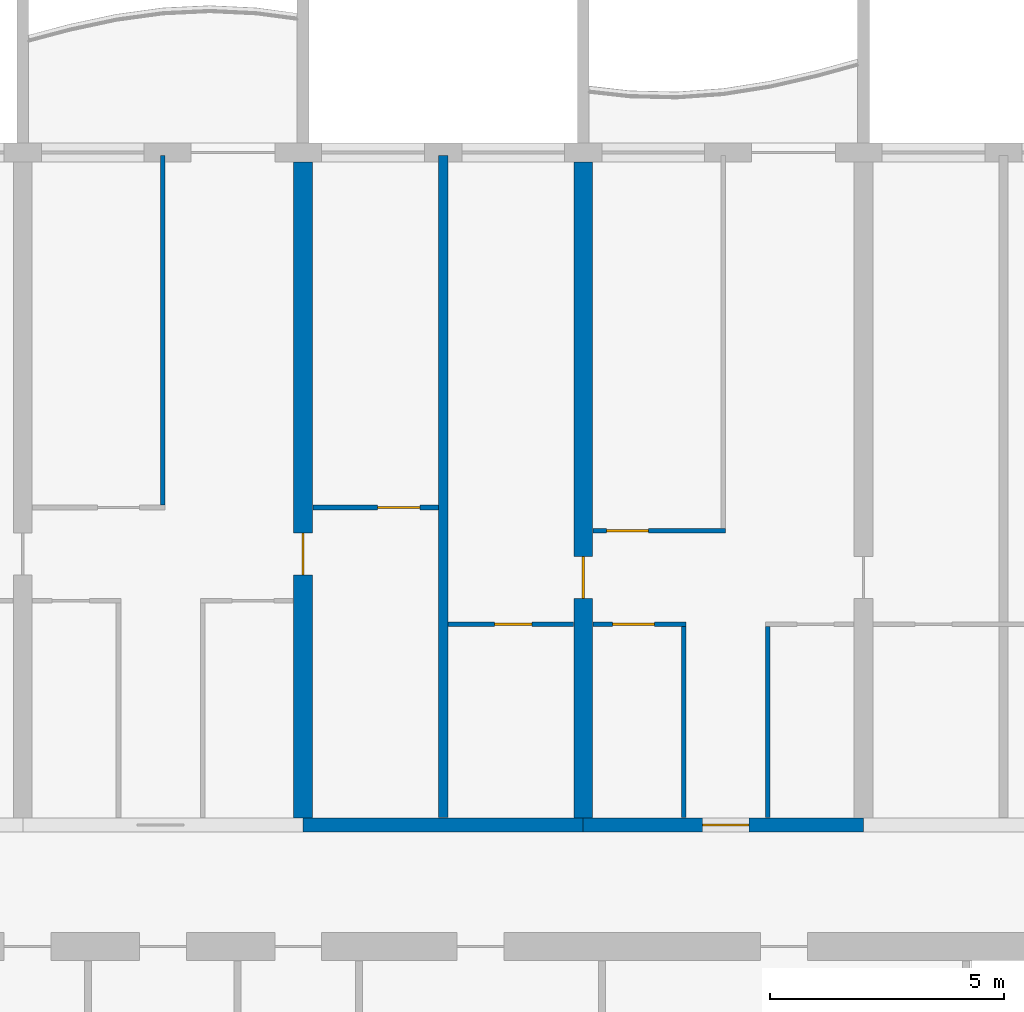
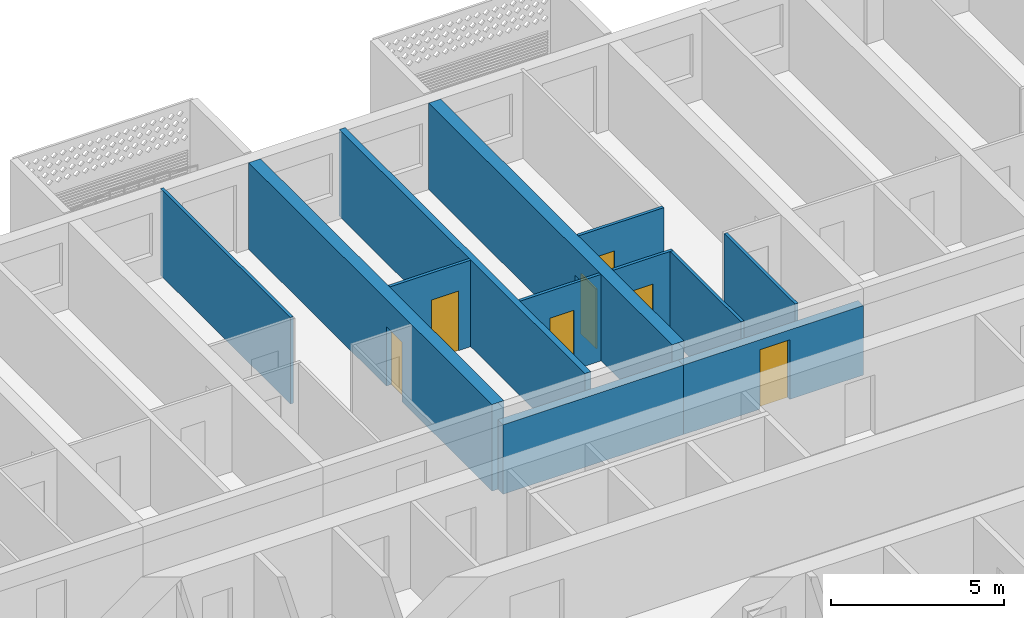
# One storey, part 12 of 40: 12 walls, 7 doors, 7 openings.
"""IFC4 building model written with IfcOpenShell, lengths in metres."""

from ifc_helpers import new_model, si_unit, direction, frame, frame_2d, origin, place, context, subcontext, project, spatial, rectangle, extrude, material, layer, layer_set, type_object, element, fill, save


model = new_model("IFC4")

# Units and contexts
model_context = context("Model", 3, precision=1e-05, world=origin(), true_north=direction((0.0, 1.0)))
body_context = subcontext(model_context, "Body", "Model", "MODEL_VIEW")
ifc_project = project(units=[si_unit("LENGTHUNIT", "METRE"), si_unit("AREAUNIT", "SQUARE_METRE"), si_unit("VOLUMEUNIT", "CUBIC_METRE"), si_unit("PLANEANGLEUNIT", "RADIAN"), si_unit("MASSUNIT", "GRAM", prefix="KILO")], contexts=[model_context])

# Site, building, storey
site_placement = place(None, origin())
site = spatial("IfcSite", under=ifc_project, at=site_placement, CompositionType="ELEMENT")
building_placement = place(site_placement, origin())
building = spatial("IfcBuilding", under=site, at=building_placement, Name="Poui Terraces", CompositionType="ELEMENT")
storey_placement = place(building_placement, frame((0.0, 0.0, 33.300048828125)))
storey = spatial("IfcBuildingStorey", under=building, at=storey_placement, Name="L08", CompositionType="ELEMENT", Elevation=33.300048828125)

# Wall
ifc_material_1 = material(Name="Concrete 80 MPa", Category="concrete")
ifc_layer_1 = layer(ifc_material_1, 0.300048828125)
ifc_layer_set_1 = layer_set([ifc_layer_1], Name="Concrete 80 MPa")
wall_type_1 = type_object("IfcWallType", Name="CORRIDOR WALL 300 80MPa", PredefinedType="SHEAR", material=ifc_layer_set_1)
wall_1_placement = place(storey_placement, frame((54.0, 30.39990234375, 0.0), z_axis=(0.0, 0.0, 1.0), x_axis=(1.0, 0.0, 0.0)))
element("IfcWall", 1, at=wall_1_placement, inside=storey, type_object=wall_type_1, Name="CORRIDOR WALL LINE E BAY 10", PredefinedType="SHEAR", context=body_context, shape_type="SweptSolid", body=[
    extrude(rectangle(XDim=6.0, YDim=0.300048828125, at=frame_2d((3.0, 0.0))), origin(), (0.0, 0.0, 1.0), 2.449951171875),
])

# Wall, opening, door
wall_2_placement = place(storey_placement, frame((60.0, 30.39990234375, 0.0), z_axis=(0.0, 0.0, 1.0), x_axis=(1.0, 0.0, 0.0)))
wall_2 = element("IfcWall", 2, at=wall_2_placement, inside=storey, type_object=wall_type_1, Name="CORRIDOR WALL LINE E BAY 11", PredefinedType="SHEAR", context=body_context, shape_type="SweptSolid", body=[
    extrude(rectangle(XDim=6.0, YDim=0.300048828125, at=frame_2d((3.0, 0.0))), origin(), (0.0, 0.0, 1.0), 2.449951171875),
])
opening_1_placement = place(wall_2_placement, frame((2.550048828125, 0.0, 0.0)))
opening_1 = element("IfcOpeningElement", 3, at=opening_1_placement, cuts=wall_2, Name="Opening FD30S", PredefinedType="OPENING", context=body_context, shape_type="SweptSolid", body=[
    extrude(rectangle(XDim=1.0, YDim=2.10009765625, at=frame_2d((0.5, 1.050048828125))), frame((0.0, 0.16015625, 0.0), z_axis=(0.0, -1.0, 0.0), x_axis=(1.0, 0.0, 0.0)), (0.0, 0.0, 1.0), 0.320068359375),
])
ifc_material_2 = material(Name="Steel fire door", Category="steel")
door_type_1 = type_object("IfcDoorType", Name="FLAT ENTRANCE DOOR 1000 X 2100", OperationType="NOTDEFINED", PredefinedType="DOOR", material=ifc_material_2)
door_1_placement = place(opening_1_placement, origin())
door_1 = element("IfcDoor", 4, at=door_1_placement, inside=storey, type_object=door_type_1, Name="FLAT ENTRANCE DOOR 068", OperationType="SINGLE_SWING_RIGHT", OverallHeight=2.10009765625, OverallWidth=1.0, PredefinedType="DOOR", context=body_context, shape_type="SweptSolid", body=[
    extrude(rectangle(XDim=1.0, YDim=2.10009765625, at=frame_2d((0.5, 1.050048828125))), frame((0.0, 0.02490234375, 0.0), z_axis=(0.0, -1.0, 0.0), x_axis=(1.0, 0.0, 0.0)), (0.0, 0.0, 1.0), 0.050048828125),
])
fill(opening_1, door_1)

ifc_layer_2 = layer(ifc_material_1, 0.39990234375)
ifc_layer_set_2 = layer_set([ifc_layer_2], Name="Concrete 80 MPa")
wall_type_2 = type_object("IfcWallType", Name="CROSS WALL 400 80MPa", PredefinedType="SHEAR", material=ifc_layer_set_2)
wall_3_placement = place(storey_placement, frame((54.0, 30.550048828125, 0.0), z_axis=(0.0, 0.0, 1.0), x_axis=(0.0, 1.0, 0.0)))
wall_3 = element("IfcWall", 5, at=wall_3_placement, inside=storey, type_object=wall_type_2, Name="CROSS WALL LINE 10 NORTH", PredefinedType="SHEAR", context=body_context, shape_type="SweptSolid", body=[
    extrude(rectangle(XDim=14.050048828125, YDim=0.39990234375, at=frame_2d((7.02490234375, 0.0))), origin(), (0.0, 0.0, 1.0), 3.050048828125),
])
opening_2_placement = place(wall_3_placement, frame((5.199951171875, 0.0, 0.0)))
opening_2 = element("IfcOpeningElement", 6, at=opening_2_placement, cuts=wall_3, Name="Opening D90", PredefinedType="OPENING", context=body_context, shape_type="SweptSolid", body=[
    extrude(rectangle(XDim=0.89990234375, YDim=2.10009765625, at=frame_2d((0.449951171875, 1.050048828125))), frame((0.0, 0.2099609375, 0.0), z_axis=(0.0, -1.0, 0.0), x_axis=(1.0, 0.0, 0.0)), (0.0, 0.0, 1.0), 0.419921875),
])
ifc_material_3 = material(Name="Solid core timber door", Category="wood")
door_type_2 = type_object("IfcDoorType", Name="INTERNAL DOOR 900 X 2100", OperationType="NOTDEFINED", PredefinedType="DOOR", material=ifc_material_3)
door_2_placement = place(opening_2_placement, origin())
door_2 = element("IfcDoor", 7, at=door_2_placement, inside=storey, type_object=door_type_2, Name="INTERNAL DOOR 062", OperationType="SINGLE_SWING_LEFT", OverallHeight=2.10009765625, OverallWidth=0.89990234375, PredefinedType="DOOR", context=body_context, shape_type="SweptSolid", body=[
    extrude(rectangle(XDim=0.89990234375, YDim=2.10009765625, at=frame_2d((0.449951171875, 1.050048828125))), frame((0.0, 0.02490234375, 0.0), z_axis=(0.0, -1.0, 0.0), x_axis=(1.0, 0.0, 0.0)), (0.0, 0.0, 1.0), 0.050048828125),
])
fill(opening_2, door_2)

wall_4_placement = place(storey_placement, frame((60.0, 30.550048828125, 0.0), z_axis=(0.0, 0.0, 1.0), x_axis=(0.0, 1.0, 0.0)))
wall_4 = element("IfcWall", 8, at=wall_4_placement, inside=storey, type_object=wall_type_2, Name="CROSS WALL LINE 11 NORTH", PredefinedType="SHEAR", context=body_context, shape_type="SweptSolid", body=[
    extrude(rectangle(XDim=14.050048828125, YDim=0.39990234375, at=frame_2d((7.02490234375, 0.0))), origin(), (0.0, 0.0, 1.0), 3.050048828125),
])
opening_3_placement = place(wall_4_placement, frame((4.699951171875, 0.0, 0.0)))
opening_3 = element("IfcOpeningElement", 9, at=opening_3_placement, cuts=wall_4, Name="Opening D90", PredefinedType="OPENING", context=body_context, shape_type="SweptSolid", body=[
    extrude(rectangle(XDim=0.89990234375, YDim=2.10009765625, at=frame_2d((0.449951171875, 1.050048828125))), frame((0.0, 0.2099609375, 0.0), z_axis=(0.0, -1.0, 0.0), x_axis=(1.0, 0.0, 0.0)), (0.0, 0.0, 1.0), 0.419921875),
])
door_3_placement = place(opening_3_placement, origin())
door_3 = element("IfcDoor", 10, at=door_3_placement, inside=storey, type_object=door_type_2, Name="INTERNAL DOOR 065", OperationType="SINGLE_SWING_LEFT", OverallHeight=2.10009765625, OverallWidth=0.89990234375, PredefinedType="DOOR", context=body_context, shape_type="SweptSolid", body=[
    extrude(rectangle(XDim=0.89990234375, YDim=2.10009765625, at=frame_2d((0.449951171875, 1.050048828125))), frame((0.0, 0.02490234375, 0.0), z_axis=(0.0, -1.0, 0.0), x_axis=(1.0, 0.0, 0.0)), (0.0, 0.0, 1.0), 0.050048828125),
])
fill(opening_3, door_3)

ifc_material_4 = material(Name="Plasterboard partition")
ifc_layer_3 = layer(ifc_material_4, 0.10009765625)
ifc_layer_set_3 = layer_set([ifc_layer_3], Name="Plasterboard partition")
wall_type_3 = type_object("IfcWallType", Name="FLAT PARTITION 100", PredefinedType="PARTITIONING", material=ifc_layer_set_3)
wall_5_placement = place(storey_placement, frame((57.10009765625, 34.699951171875, 0.0), z_axis=(0.0, 0.0, 1.0), x_axis=(1.0, 0.0, 0.0)))
wall_5 = element("IfcWall", 11, at=wall_5_placement, inside=storey, type_object=wall_type_3, Name="FLAT PARTITION 100", PredefinedType="PARTITIONING", context=body_context, shape_type="SweptSolid", body=[
    extrude(rectangle(XDim=2.68994140625, YDim=0.10009765625, at=frame_2d((1.344970703125, 0.0))), origin(), (0.0, 0.0, 1.0), 3.050048828125),
])
opening_4_placement = place(wall_5_placement, frame((1.0, 0.0, 0.0)))
opening_4 = element("IfcOpeningElement", 12, at=opening_4_placement, cuts=wall_5, Name="Opening D80", PredefinedType="OPENING", context=body_context, shape_type="SweptSolid", body=[
    extrude(rectangle(XDim=0.800048828125, YDim=2.10009765625, at=frame_2d((0.39990234375, 1.050048828125))), frame((0.0, 0.06005859375, 0.0), z_axis=(0.0, -1.0, 0.0), x_axis=(1.0, 0.0, 0.0)), (0.0, 0.0, 1.0), 0.1201171875),
])
door_type_3 = type_object("IfcDoorType", Name="BATHROOM, LAUNDRY AND STORE DOOR 800 X 2100", OperationType="NOTDEFINED", PredefinedType="DOOR", material=ifc_material_3)
door_4_placement = place(opening_4_placement, frame((0.800048828125, 0.0, 0.0), z_axis=(0.0, 0.0, 1.0), x_axis=(-1.0, 0.0, 0.0)))
door_4 = element("IfcDoor", 13, at=door_4_placement, inside=storey, type_object=door_type_3, Name="BATHROOM, LAUNDRY AND STORE DOOR 063", OperationType="SINGLE_SWING_RIGHT", OverallHeight=2.10009765625, OverallWidth=0.800048828125, PredefinedType="DOOR", context=body_context, shape_type="SweptSolid", body=[
    extrude(rectangle(XDim=0.800048828125, YDim=2.10009765625, at=frame_2d((0.39990234375, 1.050048828125))), frame((0.0, 0.02490234375, 0.0), z_axis=(0.0, -1.0, 0.0), x_axis=(1.0, 0.0, 0.0)), (0.0, 0.0, 1.0), 0.050048828125),
])
fill(opening_4, door_4)

wall_6_placement = place(storey_placement, frame((60.2099609375, 34.699951171875, 0.0), z_axis=(0.0, 0.0, 1.0), x_axis=(1.0, 0.0, 0.0)))
wall_6 = element("IfcWall", 14, at=wall_6_placement, inside=storey, type_object=wall_type_3, Name="FLAT PARTITION 100", PredefinedType="PARTITIONING", context=body_context, shape_type="SweptSolid", body=[
    extrude(rectangle(XDim=1.989990234375, YDim=0.10009765625, at=frame_2d((0.9951171875, 0.0))), origin(), (0.0, 0.0, 1.0), 3.050048828125),
])
opening_5_placement = place(wall_6_placement, frame((0.4150390625, 0.0, 0.0)))
opening_5 = element("IfcOpeningElement", 15, at=opening_5_placement, cuts=wall_6, Name="Opening D90", PredefinedType="OPENING", context=body_context, shape_type="SweptSolid", body=[
    extrude(rectangle(XDim=0.89990234375, YDim=2.10009765625, at=frame_2d((0.449951171875, 1.050048828125))), frame((0.0, 0.06005859375, 0.0), z_axis=(0.0, -1.0, 0.0), x_axis=(1.0, 0.0, 0.0)), (0.0, 0.0, 1.0), 0.1201171875),
])
door_5_placement = place(opening_5_placement, frame((0.89990234375, 0.0, 0.0), z_axis=(0.0, 0.0, 1.0), x_axis=(-1.0, 0.0, 0.0)))
door_5 = element("IfcDoor", 16, at=door_5_placement, inside=storey, type_object=door_type_2, Name="INTERNAL DOOR 067", OperationType="SINGLE_SWING_RIGHT", OverallHeight=2.10009765625, OverallWidth=0.89990234375, PredefinedType="DOOR", context=body_context, shape_type="SweptSolid", body=[
    extrude(rectangle(XDim=0.89990234375, YDim=2.10009765625, at=frame_2d((0.449951171875, 1.050048828125))), frame((0.0, 0.02490234375, 0.0), z_axis=(0.0, -1.0, 0.0), x_axis=(1.0, 0.0, 0.0)), (0.0, 0.0, 1.0), 0.050048828125),
])
fill(opening_5, door_5)

wall_7_placement = place(storey_placement, frame((60.2099609375, 36.699951171875, 0.0), z_axis=(0.0, 0.0, 1.0), x_axis=(1.0, 0.0, 0.0)))
wall_7 = element("IfcWall", 17, at=wall_7_placement, inside=storey, type_object=wall_type_3, Name="FLAT PARTITION 100", PredefinedType="PARTITIONING", context=body_context, shape_type="SweptSolid", body=[
    extrude(rectangle(XDim=2.840087890625, YDim=0.10009765625, at=frame_2d((1.419921875, 0.0))), origin(), (0.0, 0.0, 1.0), 3.050048828125),
])
opening_6_placement = place(wall_7_placement, frame((0.2900390625, 0.0, 0.0)))
opening_6 = element("IfcOpeningElement", 18, at=opening_6_placement, cuts=wall_7, Name="Opening D90", PredefinedType="OPENING", context=body_context, shape_type="SweptSolid", body=[
    extrude(rectangle(XDim=0.89990234375, YDim=2.10009765625, at=frame_2d((0.449951171875, 1.050048828125))), frame((0.0, 0.06005859375, 0.0), z_axis=(0.0, -1.0, 0.0), x_axis=(1.0, 0.0, 0.0)), (0.0, 0.0, 1.0), 0.1201171875),
])
door_6_placement = place(opening_6_placement, frame((0.89990234375, 0.0, 0.0), z_axis=(0.0, 0.0, 1.0), x_axis=(-1.0, 0.0, 0.0)))
door_6 = element("IfcDoor", 19, at=door_6_placement, inside=storey, type_object=door_type_2, Name="INTERNAL DOOR 066", OperationType="SINGLE_SWING_LEFT", OverallHeight=2.10009765625, OverallWidth=0.89990234375, PredefinedType="DOOR", context=body_context, shape_type="SweptSolid", body=[
    extrude(rectangle(XDim=0.89990234375, YDim=2.10009765625, at=frame_2d((0.449951171875, 1.050048828125))), frame((0.0, 0.02490234375, 0.0), z_axis=(0.0, -1.0, 0.0), x_axis=(1.0, 0.0, 0.0)), (0.0, 0.0, 1.0), 0.050048828125),
])
fill(opening_6, door_6)

wall_8_placement = place(storey_placement, frame((54.2099609375, 37.199951171875, 0.0), z_axis=(0.0, 0.0, 1.0), x_axis=(1.0, 0.0, 0.0)))
wall_8 = element("IfcWall", 20, at=wall_8_placement, inside=storey, type_object=wall_type_3, Name="FLAT PARTITION 100", PredefinedType="PARTITIONING", context=body_context, shape_type="SweptSolid", body=[
    extrude(rectangle(XDim=2.68994140625, YDim=0.10009765625, at=frame_2d((1.344970703125, 0.0))), origin(), (0.0, 0.0, 1.0), 3.050048828125),
])
opening_7_placement = place(wall_8_placement, frame((1.389892578125, 0.0, 0.0)))
opening_7 = element("IfcOpeningElement", 21, at=opening_7_placement, cuts=wall_8, Name="Opening D90", PredefinedType="OPENING", context=body_context, shape_type="SweptSolid", body=[
    extrude(rectangle(XDim=0.89990234375, YDim=2.10009765625, at=frame_2d((0.449951171875, 1.050048828125))), frame((0.0, 0.06005859375, 0.0), z_axis=(0.0, -1.0, 0.0), x_axis=(1.0, 0.0, 0.0)), (0.0, 0.0, 1.0), 0.1201171875),
])
door_7_placement = place(opening_7_placement, origin())
door_7 = element("IfcDoor", 22, at=door_7_placement, inside=storey, type_object=door_type_2, Name="INTERNAL DOOR 056", OperationType="SINGLE_SWING_RIGHT", OverallHeight=2.10009765625, OverallWidth=0.89990234375, PredefinedType="DOOR", context=body_context, shape_type="SweptSolid", body=[
    extrude(rectangle(XDim=0.89990234375, YDim=2.10009765625, at=frame_2d((0.449951171875, 1.050048828125))), frame((0.0, 0.02490234375, 0.0), z_axis=(0.0, -1.0, 0.0), x_axis=(1.0, 0.0, 0.0)), (0.0, 0.0, 1.0), 0.050048828125),
])
fill(opening_7, door_7)

# Walls
wall_9_placement = place(storey_placement, frame((51.0, 37.25, 0.0), z_axis=(0.0, 0.0, 1.0), x_axis=(0.0, 1.0, 0.0)))
element("IfcWall", 23, at=wall_9_placement, inside=storey, type_object=wall_type_3, Name="FLAT PARTITION 100", PredefinedType="PARTITIONING", context=body_context, shape_type="SweptSolid", body=[
    extrude(rectangle(XDim=7.489990234375, YDim=0.10009765625, at=frame_2d((3.7451171875, 0.0))), origin(), (0.0, 0.0, 1.0), 3.050048828125),
])
for number, where, z_axis, x_axis, name in (
    (24, (62.14990234375, 30.56005859375, 0.0), (0.0, 0.0, 1.0), (0.0, 1.0, 0.0), "FLAT PARTITION 100"),
    (25, (63.949951171875, 30.56005859375, 0.0), (0.0, 0.0, 1.0), (0.0, 1.0, 0.0), "FLAT PARTITION 100"),
):
    element("IfcWall", number, at=place(storey_placement, frame(where, z_axis=z_axis, x_axis=x_axis)), inside=storey, type_object=wall_type_3, Name=name, PredefinedType="PARTITIONING", context=body_context, shape_type="SweptSolid", body=[
        extrude(rectangle(XDim=4.08984375, YDim=0.10009765625, at=frame_2d((2.044921875, 0.0))), origin(), (0.0, 0.0, 1.0), 3.050048828125),
    ])
ifc_material_5 = material(Name="Fire-rated masonry wall", Category="masonry")
ifc_layer_4 = layer(ifc_material_5, 0.199951171875)
ifc_layer_set_4 = layer_set([ifc_layer_4], Name="Fire-rated masonry wall")
wall_type_4 = type_object("IfcWallType", Name="FLAT PARTY WALL 200", PredefinedType="PARTITIONING", material=ifc_layer_set_4)
wall_10_placement = place(storey_placement, frame((57.0, 30.56005859375, 0.0), z_axis=(0.0, 0.0, 1.0), x_axis=(0.0, 1.0, 0.0)))
element("IfcWall", 26, at=wall_10_placement, inside=storey, type_object=wall_type_4, Name="FLAT PARTY WALL 200", PredefinedType="PARTITIONING", context=body_context, shape_type="SweptSolid", body=[
    extrude(rectangle(XDim=14.179931640625, YDim=0.199951171875, at=frame_2d((7.08984375, 0.0))), origin(), (0.0, 0.0, 1.0), 3.050048828125),
])

save(model, "model.ifc")
